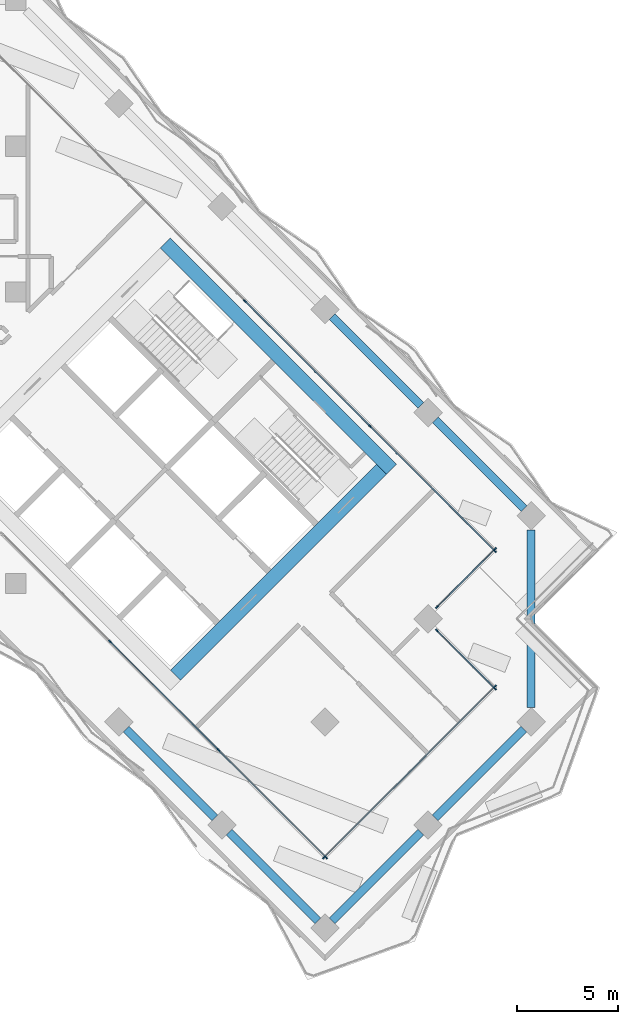
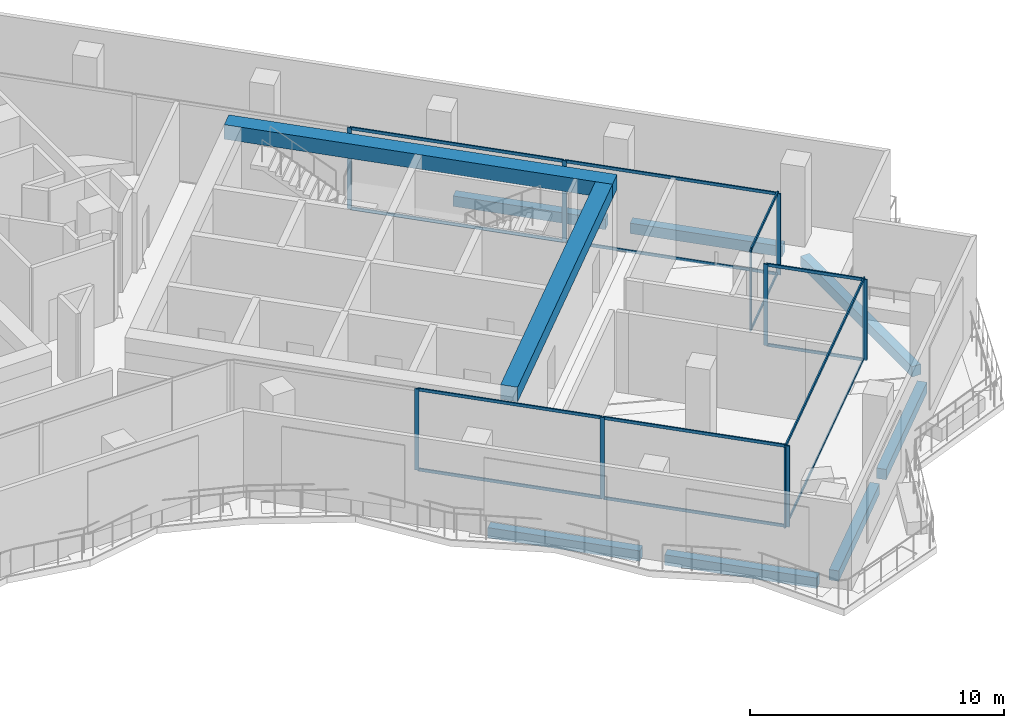
# One storey, part 7 of 23: 26 members, 9 beams, 5 elements without a shape of their own.
"""IFC4 building model written with IfcOpenShell, lengths in metres."""

import ifcopenshell
import ifcopenshell.guid

model = None  # the IFC model being written
_history = None  # IfcOwnerHistory: only IFC2X3 demands one
_inside = {}  # id of a spatial element -> (the spatial element, [elements in it])
_under = {}  # id of a project, library or spatial element -> (it, [spatial elements below it])
_declared = {}  # id of a project -> (the project, [libraries it declares])
_typed = {}  # id of a type object -> (the type object, [elements of that type])
_made_of = {}  # id of a material, layer set ... -> (it, [elements and type objects made of it])


def new_model(schema):
    """Start an empty IFC model of exactly this schema.

    Asked for "IFC4X3", IfcOpenShell would pick the latest addendum, in which some entities
    have other attributes; the version numbers below select the first issue.
    IFC2X3 requires an IfcOwnerHistory on every rooted entity: one is made here for all.
    """
    global model, _history
    if schema == "IFC4X3":
        model = ifcopenshell.file(schema_version=(4, 3, 0, 0))
    else:
        model = ifcopenshell.file(schema=schema)
    _inside.clear()
    _under.clear()
    _declared.clear()
    _typed.clear()
    _made_of.clear()
    _history = None
    if model.schema == "IFC2X3":
        org = make("IfcOrganization", Name="unknown")
        user = make(
            "IfcPersonAndOrganization",
            ThePerson=make("IfcPerson", FamilyName="unknown"),
            TheOrganization=org,
        )
        app = make(
            "IfcApplication",
            ApplicationDeveloper=org,
            Version="unknown",
            ApplicationFullName="unknown",
            ApplicationIdentifier="unknown",
        )
        _history = make(
            "IfcOwnerHistory",
            OwningUser=user,
            OwningApplication=app,
            ChangeAction="ADDED",
            CreationDate=0,
        )
    return model


def make(cls, **values):
    """One entity of the class cls with the attributes given. An attribute that is None is left unset."""
    return model.create_entity(
        cls, **{name: value for name, value in values.items() if value is not None}
    )


def rooted(cls, **values):
    """An entity with a GlobalId (a new one), such as an element, a storey or a relation."""
    return make(cls, GlobalId=ifcopenshell.guid.new(), OwnerHistory=_history, **values)


def si_unit(unit_type, name, prefix=None):
    """IfcSIUnit, for example si_unit("LENGTHUNIT", "METRE", prefix="MILLI")."""
    return make("IfcSIUnit", UnitType=unit_type, Prefix=prefix, Name=name)


def assignment(units):
    """IfcUnitAssignment: the units of a project."""
    return None if units is None else make("IfcUnitAssignment", Units=units)


def point(xyz):
    """IfcCartesianPoint."""
    return None if xyz is None else make("IfcCartesianPoint", Coordinates=xyz)


def direction(xyz):
    """IfcDirection."""
    return None if xyz is None else make("IfcDirection", DirectionRatios=xyz)


def frame(location, z_axis=None, x_axis=None):
    """IfcAxis2Placement3D, a coordinate frame: its origin and axes. An axis left out is left unset."""
    return make(
        "IfcAxis2Placement3D",
        Location=point(location),
        Axis=direction(z_axis),
        RefDirection=direction(x_axis),
    )


def frame_2d(location, x_axis=None):
    """IfcAxis2Placement2D, a coordinate frame in the plane: its origin and x axis."""
    return make(
        "IfcAxis2Placement2D", Location=point(location), RefDirection=direction(x_axis)
    )


def origin():
    """The frame at (0, 0, 0) with its axes left unset."""
    return frame((0.0, 0.0, 0.0))


def origin_2d():
    """The frame at (0, 0) in the plane with its x axis left unset."""
    return frame_2d((0.0, 0.0))


def place(relative_to, where):
    """IfcLocalPlacement: puts the frame where relative to a parent placement (None: the world)."""
    return make(
        "IfcLocalPlacement", PlacementRelTo=relative_to, RelativePlacement=where
    )


def context(
    kind, dimensions, precision=None, world=None, true_north=None, identifier=None
):
    """IfcGeometricRepresentationContext, for example the 3D "Model" context."""
    return make(
        "IfcGeometricRepresentationContext",
        ContextIdentifier=identifier,
        ContextType=kind,
        CoordinateSpaceDimension=dimensions,
        Precision=precision,
        WorldCoordinateSystem=world,
        TrueNorth=true_north,
    )


def subcontext(parent, identifier, kind, view, scale=None):
    """IfcGeometricRepresentationSubContext, for example "Body" below "Model"."""
    return make(
        "IfcGeometricRepresentationSubContext",
        ContextIdentifier=identifier,
        ContextType=kind,
        ParentContext=parent,
        TargetScale=scale,
        TargetView=view,
    )


def project(units=None, contexts=None):
    """IfcProject with its units and contexts."""
    return rooted(
        "IfcProject",
        Name="project",
        RepresentationContexts=contexts,
        UnitsInContext=assignment(units),
    )


def spatial(cls, under=None, at=None, **own):
    """A site, building, storey or space (cls), placed at a placement, below another one or the project."""
    s = rooted(cls, ObjectPlacement=at, **own)
    if under is not None:
        _under.setdefault(under.id(), (under, []))[1].append(s)
    return s


def profile(cls, at=None, kind="AREA", **sizes):
    """A parametric profile (cls). Its sizes go by their IFC names, for example OverallWidth=200.0."""
    return make(cls, ProfileType=kind, Position=at, **sizes)


def rectangle(**sizes):
    """IfcRectangleProfileDef."""
    return profile("IfcRectangleProfileDef", **sizes)


def extrude(swept, where, along, depth):
    """IfcExtrudedAreaSolid: the profile swept, set in the frame where, extruded along a direction by depth."""
    return make(
        "IfcExtrudedAreaSolid",
        SweptArea=swept,
        Position=where,
        ExtrudedDirection=direction(along),
        Depth=depth,
    )


def shape(context_of_items, identifier, shape_type, items):
    """IfcShapeRepresentation: the items that make up one representation, for example the "Body"."""
    return make(
        "IfcShapeRepresentation",
        ContextOfItems=context_of_items,
        RepresentationIdentifier=identifier,
        RepresentationType=shape_type,
        Items=items,
    )


def material(Name=None, Category=None):
    """IfcMaterial."""
    return make("IfcMaterial", Name=Name, Category=Category)


def material_profile(
    of_material, cross_section, Name=None, Category=None, Priority=None
):
    """IfcMaterialProfile: a cross section and its material."""
    return make(
        "IfcMaterialProfile",
        Name=Name,
        Material=of_material,
        Profile=cross_section,
        Priority=Priority,
        Category=Category,
    )


def profile_set(profiles, Name=None, composite=None):
    """IfcMaterialProfileSet."""
    return make(
        "IfcMaterialProfileSet",
        Name=Name,
        MaterialProfiles=profiles,
        CompositeProfile=composite,
    )


def made_of(thing, what):
    """Note that an element or type object is made of a material, layer set ...; save() writes the relation."""
    if what is not None:
        _made_of.setdefault(what.id(), (what, []))[1].append(thing)
    return thing


def type_object(cls, material=None, **own):
    """A type object (cls), such as IfcWallType, which elements share."""
    return made_of(rooted(cls, **own), material)


def element(
    cls,
    number,
    at=None,
    inside=None,
    cuts=None,
    type_object=None,
    material=None,
    context=None,
    identifier="Body",
    shape_type=None,
    held_by="IfcProductDefinitionShape",
    body=None,
    shapes=None,
    **own,
):
    """One element of the class cls, such as IfcWall. Its Tag is "e" and its number.

    at: its placement. inside: the storey or other place that contains it. cuts: it is an
    opening in that element (IfcRelVoidsElement). A single representation is given by context,
    identifier, shape_type and body (its items); several are given by shapes. held_by: the class
    of the entity that holds the representations. save() writes the other relations.
    """
    e = rooted(cls, Tag="e%d" % number, ObjectPlacement=at, **own)
    if body is not None:
        shapes = [shape(context, identifier, shape_type, body)]
    if shapes is not None:
        e.Representation = make(held_by, Representations=shapes)
    if inside is not None:
        _inside.setdefault(inside.id(), (inside, []))[1].append(e)
    if cuts is not None:
        rooted(
            "IfcRelVoidsElement", RelatingBuildingElement=cuts, RelatedOpeningElement=e
        )
    if type_object is not None:
        _typed.setdefault(type_object.id(), (type_object, []))[1].append(e)
    return made_of(e, material)


def aggregate(whole, parts):
    """IfcRelAggregates: a whole, such as a stair, and the parts it consists of."""
    return rooted("IfcRelAggregates", RelatingObject=whole, RelatedObjects=parts)


def save(model, path):
    """Write the relations noted so far, then the file.

    IfcRelAggregates (storeys below a building ...), IfcRelContainedInSpatialStructure (elements
    in a storey), IfcRelDefinesByType, IfcRelAssociatesMaterial and IfcRelDeclares: one each for
    every whole, place, type object, material and project.
    """
    for whole, parts in _under.values():
        aggregate(whole, parts)
    for where, things in _inside.values():
        rooted(
            "IfcRelContainedInSpatialStructure",
            RelatedElements=things,
            RelatingStructure=where,
        )
    for kind, things in _typed.values():
        rooted("IfcRelDefinesByType", RelatedObjects=things, RelatingType=kind)
    for what, things in _made_of.values():
        rooted("IfcRelAssociatesMaterial", RelatedObjects=things, RelatingMaterial=what)
    for by, libraries in _declared.values():
        rooted("IfcRelDeclares", RelatingContext=by, RelatedDefinitions=libraries)
    model.write(path)


model = new_model("IFC4")

# Units and contexts
model_context = context("Model", 3, precision=1e-05, world=origin(), true_north=direction((0.0, 1.0)))
body_context = subcontext(model_context, "Body", "Model", "MODEL_VIEW")
ifc_project = project(units=[si_unit("LENGTHUNIT", "METRE"), si_unit("AREAUNIT", "SQUARE_METRE"), si_unit("VOLUMEUNIT", "CUBIC_METRE"), si_unit("PLANEANGLEUNIT", "RADIAN"), si_unit("MASSUNIT", "GRAM", prefix="KILO")], contexts=[model_context])

# Site, building, storey
site_placement = place(None, origin())
site = spatial("IfcSite", under=ifc_project, at=site_placement, CompositionType="ELEMENT")
building_placement = place(site_placement, origin())
building = spatial("IfcBuilding", under=site, at=building_placement, Name="Windrow Commons", CompositionType="ELEMENT")
storey_placement = place(building_placement, frame((0.0, 0.0, 122.0)))
storey = spatial("IfcBuildingStorey", under=building, at=storey_placement, Name="L33", CompositionType="ELEMENT", Elevation=122.0)

# Curtain wall, members
ifc_material_1 = material(Name="Clear laminated glass in Aluminium 6063-T6 anodised frame", Category="aluminium")
curtain_wall_type = type_object("IfcCurtainWallType", Name="Curtain wall CW2M sky lounge mid", PredefinedType="USERDEFINED", material=ifc_material_1)
placement = place(storey_placement, origin())
curtain_wall_1 = element("IfcCurtainWall", 1, at=placement, inside=storey, type_object=curtain_wall_type, Name="Curtain wall CW2M L33 1", ObjectType="UNITISED", PredefinedType="USERDEFINED")
ifc_material_2 = material(Name="Aluminium 6063-T6", Category="aluminium")
ifc_material_profile_1 = material_profile(ifc_material_2, rectangle(XDim=0.06, YDim=0.18, at=origin_2d()))
ifc_profile_set_1 = profile_set([ifc_material_profile_1], Name="Aluminium 6063-T6")
member_type_1 = type_object("IfcMemberType", Name="CW2M mullion 60x180", PredefinedType="MULLION", material=ifc_profile_set_1)
member_1_placement = place(storey_placement, frame((102.8669, 38.0094, 0.0), z_axis=(0.0, 0.0, 1.0), x_axis=(-0.7071067812, -0.7071067812, 0.0)))
member_1 = element("IfcMember", 2, at=member_1_placement, type_object=member_type_1, Name="CW2M mullion 1", PredefinedType="MULLION", context=body_context, shape_type="SweptSolid", body=[
    extrude(rectangle(XDim=0.06, YDim=0.18, at=origin_2d()), origin(), (0.0, 0.0, 1.0), 3.9),
])
member_2_placement = place(storey_placement, frame((100.0095, 40.8667, 0.0), z_axis=(0.0, 0.0, 1.0), x_axis=(-0.7071067812, -0.7071067812, 0.0)))
member_2 = element("IfcMember", 3, at=member_2_placement, type_object=member_type_1, Name="CW2M mullion 2", PredefinedType="MULLION", context=body_context, shape_type="SweptSolid", body=[
    extrude(rectangle(XDim=0.06, YDim=0.18, at=origin_2d()), origin(), (0.0, 0.0, 1.0), 3.9),
])

curtain_wall_2 = element("IfcCurtainWall", 4, at=placement, inside=storey, type_object=curtain_wall_type, Name="Curtain wall CW2M L33 2", ObjectType="UNITISED", PredefinedType="USERDEFINED")
member_3_placement = place(storey_placement, frame((100.0095, 42.0393, 0.0), z_axis=(0.0, 0.0, 1.0), x_axis=(-0.7071067812, 0.7071067812, 0.0)))
member_3 = element("IfcMember", 5, at=member_3_placement, type_object=member_type_1, Name="CW2M mullion 1", PredefinedType="MULLION", context=body_context, shape_type="SweptSolid", body=[
    extrude(rectangle(XDim=0.06, YDim=0.18, at=origin_2d()), origin(), (0.0, 0.0, 1.0), 3.9),
])
member_4_placement = place(storey_placement, frame((102.8669, 44.8966, 0.0), z_axis=(0.0, 0.0, 1.0), x_axis=(-0.7071067812, 0.7071067812, 0.0)))
member_4 = element("IfcMember", 6, at=member_4_placement, type_object=member_type_1, Name="CW2M mullion 2", PredefinedType="MULLION", context=body_context, shape_type="SweptSolid", body=[
    extrude(rectangle(XDim=0.06, YDim=0.18, at=origin_2d()), origin(), (0.0, 0.0, 1.0), 3.9),
])

curtain_wall_3 = element("IfcCurtainWall", 7, at=placement, inside=storey, type_object=curtain_wall_type, Name="Curtain wall CW2M L33 3", ObjectType="UNITISED", PredefinedType="USERDEFINED")
member_5_placement = place(storey_placement, frame((102.8669, 44.7976, 0.0), z_axis=(0.0, 0.0, 1.0), x_axis=(-0.7071067812, -0.7071067812, 0.0)))
member_5 = element("IfcMember", 8, at=member_5_placement, type_object=member_type_1, Name="CW2M mullion 1", PredefinedType="MULLION", context=body_context, shape_type="SweptSolid", body=[
    extrude(rectangle(XDim=0.06, YDim=0.18, at=origin_2d()), origin(), (0.0, 0.0, 1.0), 3.9),
])
member_6_placement = place(storey_placement, frame((96.6999, 50.9646, 0.0), z_axis=(0.0, 0.0, 1.0), x_axis=(-0.7071067812, -0.7071067812, 0.0)))
member_6 = element("IfcMember", 9, at=member_6_placement, type_object=member_type_1, Name="CW2M mullion 2", PredefinedType="MULLION", context=body_context, shape_type="SweptSolid", body=[
    extrude(rectangle(XDim=0.06, YDim=0.18, at=origin_2d()), origin(), (0.0, 0.0, 1.0), 3.9),
])
member_7_placement = place(storey_placement, frame((90.5116, 57.1528, 0.0), z_axis=(0.0, 0.0, 1.0), x_axis=(-0.7071067812, -0.7071067812, 0.0)))
member_7 = element("IfcMember", 10, at=member_7_placement, type_object=member_type_1, Name="CW2M mullion 3", PredefinedType="MULLION", context=body_context, shape_type="SweptSolid", body=[
    extrude(rectangle(XDim=0.06, YDim=0.18, at=origin_2d()), origin(), (0.0, 0.0, 1.0), 3.9),
])

curtain_wall_4 = element("IfcCurtainWall", 11, at=placement, inside=storey, type_object=curtain_wall_type, Name="Curtain wall CW2M L33 13", ObjectType="UNITISED", PredefinedType="USERDEFINED")
member_8_placement = place(storey_placement, frame((83.8599, 40.3286, 0.0), z_axis=(0.0, 0.0, 1.0), x_axis=(0.7071067812, 0.7071067812, 0.0)))
member_8 = element("IfcMember", 12, at=member_8_placement, type_object=member_type_1, Name="CW2M mullion 2", PredefinedType="MULLION", context=body_context, shape_type="SweptSolid", body=[
    extrude(rectangle(XDim=0.06, YDim=0.18, at=origin_2d()), origin(), (0.0, 0.0, 1.0), 3.9),
])
member_9_placement = place(storey_placement, frame((89.2021, 34.9864, 0.0), z_axis=(0.0, 0.0, 1.0), x_axis=(0.7071067812, 0.7071067812, 0.0)))
member_9 = element("IfcMember", 13, at=member_9_placement, type_object=member_type_1, Name="CW2M mullion 3", PredefinedType="MULLION", context=body_context, shape_type="SweptSolid", body=[
    extrude(rectangle(XDim=0.06, YDim=0.18, at=origin_2d()), origin(), (0.0, 0.0, 1.0), 3.9),
])
member_10_placement = place(storey_placement, frame((94.523, 29.6655, 0.0), z_axis=(0.0, 0.0, 1.0), x_axis=(0.7071067812, 0.7071067812, 0.0)))
member_10 = element("IfcMember", 14, at=member_10_placement, type_object=member_type_1, Name="CW2M mullion 4", PredefinedType="MULLION", context=body_context, shape_type="SweptSolid", body=[
    extrude(rectangle(XDim=0.06, YDim=0.18, at=origin_2d()), origin(), (0.0, 0.0, 1.0), 3.9),
])

curtain_wall_5 = element("IfcCurtainWall", 15, at=placement, inside=storey, type_object=curtain_wall_type, Name="Curtain wall CW2M L33 14", ObjectType="UNITISED", PredefinedType="USERDEFINED")
member_11_placement = place(storey_placement, frame((94.424, 29.6655, 0.0), z_axis=(0.0, 0.0, 1.0), x_axis=(-0.7071067812, 0.7071067812, 0.0)))
member_11 = element("IfcMember", 16, at=member_11_placement, type_object=member_type_1, Name="CW2M mullion 1", PredefinedType="MULLION", context=body_context, shape_type="SweptSolid", body=[
    extrude(rectangle(XDim=0.06, YDim=0.18, at=origin_2d()), origin(), (0.0, 0.0, 1.0), 3.9),
])
member_12_placement = place(storey_placement, frame((102.8669, 38.1084, 0.0), z_axis=(0.0, 0.0, 1.0), x_axis=(-0.7071067812, 0.7071067812, 0.0)))
member_12 = element("IfcMember", 17, at=member_12_placement, type_object=member_type_1, Name="CW2M mullion 2", PredefinedType="MULLION", context=body_context, shape_type="SweptSolid", body=[
    extrude(rectangle(XDim=0.06, YDim=0.18, at=origin_2d()), origin(), (0.0, 0.0, 1.0), 3.9),
])

# Member
ifc_material_3 = material(Name="Aluminium 6063-T6", Category="aluminium")
ifc_material_profile_2 = material_profile(ifc_material_3, rectangle(XDim=0.06, YDim=0.14, at=origin_2d()))
ifc_profile_set_2 = profile_set([ifc_material_profile_2], Name="Aluminium 6063-T6")
member_type_2 = type_object("IfcMemberType", Name="CW2M transom 60x140", PredefinedType="USERDEFINED", material=ifc_profile_set_2)
member_13_placement = place(storey_placement, frame((102.8457, 38.0306, 0.03), z_axis=(-0.7071067812, 0.7071067812, 0.0), x_axis=(-0.7071067812, -0.7071067812, 0.0)))
member_13 = element("IfcMember", 18, at=member_13_placement, type_object=member_type_2, Name="CW2M transom 1.1", ObjectType="TRANSOM", PredefinedType="USERDEFINED", context=body_context, shape_type="SweptSolid", body=[
    extrude(rectangle(XDim=0.06, YDim=0.14, at=origin_2d()), origin(), (0.0, 0.0, 1.0), 3.9809),
])

member_14_placement = place(storey_placement, frame((102.8457, 38.0306, 3.87), z_axis=(-0.7071067812, 0.7071067812, 0.0), x_axis=(-0.7071067812, -0.7071067812, 0.0)))
member_14 = element("IfcMember", 19, at=member_14_placement, type_object=member_type_2, Name="CW2M transom 1.2", ObjectType="TRANSOM", PredefinedType="USERDEFINED", context=body_context, shape_type="SweptSolid", body=[
    extrude(rectangle(XDim=0.06, YDim=0.14, at=origin_2d()), origin(), (0.0, 0.0, 1.0), 3.9809),
])

aggregate(curtain_wall_1, [member_1, member_2, member_13, member_14])

member_15_placement = place(storey_placement, frame((100.0308, 42.0605, 0.03), z_axis=(0.7071067812, 0.7071067812, 0.0), x_axis=(-0.7071067812, 0.7071067812, 0.0)))
member_15 = element("IfcMember", 20, at=member_15_placement, type_object=member_type_2, Name="CW2M transom 1.1", ObjectType="TRANSOM", PredefinedType="USERDEFINED", context=body_context, shape_type="SweptSolid", body=[
    extrude(rectangle(XDim=0.06, YDim=0.14, at=origin_2d()), origin(), (0.0, 0.0, 1.0), 3.9809),
])

member_16_placement = place(storey_placement, frame((100.0308, 42.0605, 3.87), z_axis=(0.7071067812, 0.7071067812, 0.0), x_axis=(-0.7071067812, 0.7071067812, 0.0)))
member_16 = element("IfcMember", 21, at=member_16_placement, type_object=member_type_2, Name="CW2M transom 1.2", ObjectType="TRANSOM", PredefinedType="USERDEFINED", context=body_context, shape_type="SweptSolid", body=[
    extrude(rectangle(XDim=0.06, YDim=0.14, at=origin_2d()), origin(), (0.0, 0.0, 1.0), 3.9809),
])

aggregate(curtain_wall_2, [member_3, member_4, member_15, member_16])

member_17_placement = place(storey_placement, frame((102.8457, 44.8188, 0.03), z_axis=(-0.7071067812, 0.7071067812, 0.0), x_axis=(-0.7071067812, -0.7071067812, 0.0)))
member_17 = element("IfcMember", 22, at=member_17_placement, type_object=member_type_2, Name="CW2M transom 1.1", ObjectType="TRANSOM", PredefinedType="USERDEFINED", context=body_context, shape_type="SweptSolid", body=[
    extrude(rectangle(XDim=0.06, YDim=0.14, at=origin_2d()), origin(), (0.0, 0.0, 1.0), 8.6615),
])

member_18_placement = place(storey_placement, frame((102.8457, 44.8188, 3.87), z_axis=(-0.7071067812, 0.7071067812, 0.0), x_axis=(-0.7071067812, -0.7071067812, 0.0)))
member_18 = element("IfcMember", 23, at=member_18_placement, type_object=member_type_2, Name="CW2M transom 1.2", ObjectType="TRANSOM", PredefinedType="USERDEFINED", context=body_context, shape_type="SweptSolid", body=[
    extrude(rectangle(XDim=0.06, YDim=0.14, at=origin_2d()), origin(), (0.0, 0.0, 1.0), 8.6615),
])

member_19_placement = place(storey_placement, frame((96.6787, 50.9858, 0.03), z_axis=(-0.7071067812, 0.7071067812, 0.0), x_axis=(-0.7071067812, -0.7071067812, 0.0)))
member_19 = element("IfcMember", 24, at=member_19_placement, type_object=member_type_2, Name="CW2M transom 2.1", ObjectType="TRANSOM", PredefinedType="USERDEFINED", context=body_context, shape_type="SweptSolid", body=[
    extrude(rectangle(XDim=0.06, YDim=0.14, at=origin_2d()), origin(), (0.0, 0.0, 1.0), 8.6915),
])

member_20_placement = place(storey_placement, frame((96.6787, 50.9858, 3.87), z_axis=(-0.7071067812, 0.7071067812, 0.0), x_axis=(-0.7071067812, -0.7071067812, 0.0)))
member_20 = element("IfcMember", 25, at=member_20_placement, type_object=member_type_2, Name="CW2M transom 2.2", ObjectType="TRANSOM", PredefinedType="USERDEFINED", context=body_context, shape_type="SweptSolid", body=[
    extrude(rectangle(XDim=0.06, YDim=0.14, at=origin_2d()), origin(), (0.0, 0.0, 1.0), 8.6915),
])

aggregate(curtain_wall_3, [member_5, member_6, member_7, member_17, member_18, member_19, member_20])

member_21_placement = place(storey_placement, frame((83.8812, 40.3074, 0.03), z_axis=(0.7071067812, -0.7071067812, 0.0), x_axis=(0.7071067812, 0.7071067812, 0.0)))
member_21 = element("IfcMember", 26, at=member_21_placement, type_object=member_type_2, Name="CW2M transom 2.1", ObjectType="TRANSOM", PredefinedType="USERDEFINED", context=body_context, shape_type="SweptSolid", body=[
    extrude(rectangle(XDim=0.06, YDim=0.14, at=origin_2d()), origin(), (0.0, 0.0, 1.0), 7.4949),
])

member_22_placement = place(storey_placement, frame((83.8812, 40.3074, 3.87), z_axis=(0.7071067812, -0.7071067812, 0.0), x_axis=(0.7071067812, 0.7071067812, 0.0)))
member_22 = element("IfcMember", 27, at=member_22_placement, type_object=member_type_2, Name="CW2M transom 2.2", ObjectType="TRANSOM", PredefinedType="USERDEFINED", context=body_context, shape_type="SweptSolid", body=[
    extrude(rectangle(XDim=0.06, YDim=0.14, at=origin_2d()), origin(), (0.0, 0.0, 1.0), 7.4949),
])

member_23_placement = place(storey_placement, frame((89.2233, 34.9652, 0.03), z_axis=(0.7071067812, -0.7071067812, 0.0), x_axis=(0.7071067812, 0.7071067812, 0.0)))
member_23 = element("IfcMember", 28, at=member_23_placement, type_object=member_type_2, Name="CW2M transom 3.1", ObjectType="TRANSOM", PredefinedType="USERDEFINED", context=body_context, shape_type="SweptSolid", body=[
    extrude(rectangle(XDim=0.06, YDim=0.14, at=origin_2d()), origin(), (0.0, 0.0, 1.0), 7.4649),
])

member_24_placement = place(storey_placement, frame((89.2233, 34.9652, 3.87), z_axis=(0.7071067812, -0.7071067812, 0.0), x_axis=(0.7071067812, 0.7071067812, 0.0)))
member_24 = element("IfcMember", 29, at=member_24_placement, type_object=member_type_2, Name="CW2M transom 3.2", ObjectType="TRANSOM", PredefinedType="USERDEFINED", context=body_context, shape_type="SweptSolid", body=[
    extrude(rectangle(XDim=0.06, YDim=0.14, at=origin_2d()), origin(), (0.0, 0.0, 1.0), 7.4649),
])

aggregate(curtain_wall_4, [member_8, member_9, member_10, member_21, member_22, member_23, member_24])

member_25_placement = place(storey_placement, frame((94.4452, 29.6867, 0.03), z_axis=(0.7071067812, 0.7071067812, 0.0), x_axis=(-0.7071067812, 0.7071067812, 0.0)))
member_25 = element("IfcMember", 30, at=member_25_placement, type_object=member_type_2, Name="CW2M transom 1.1", ObjectType="TRANSOM", PredefinedType="USERDEFINED", context=body_context, shape_type="SweptSolid", body=[
    extrude(rectangle(XDim=0.06, YDim=0.14, at=origin_2d()), origin(), (0.0, 0.0, 1.0), 11.8801),
])

member_26_placement = place(storey_placement, frame((94.4452, 29.6867, 3.87), z_axis=(0.7071067812, 0.7071067812, 0.0), x_axis=(-0.7071067812, 0.7071067812, 0.0)))
member_26 = element("IfcMember", 31, at=member_26_placement, type_object=member_type_2, Name="CW2M transom 1.2", ObjectType="TRANSOM", PredefinedType="USERDEFINED", context=body_context, shape_type="SweptSolid", body=[
    extrude(rectangle(XDim=0.06, YDim=0.14, at=origin_2d()), origin(), (0.0, 0.0, 1.0), 11.8801),
])

aggregate(curtain_wall_5, [member_11, member_12, member_25, member_26])

# Beams
ifc_material_4 = material(Name="Concrete C50/60", Category="concrete")
ifc_material_profile_3 = material_profile(ifc_material_4, rectangle(XDim=0.7, YDim=0.7, at=origin_2d()))
ifc_profile_set_3 = profile_set([ifc_material_profile_3], Name="Concrete C50/60")
beam_type_1 = type_object("IfcBeamType", Name="RC COUPLING BEAM 700x700 C50/60", PredefinedType="LINTEL", material=ifc_profile_set_3)
beam_1_placement = place(storey_placement, frame((86.5893, 60.0145, 3.55), z_axis=(0.7071099457, -0.7071036166, 0.0), x_axis=(0.7071036166, 0.7071099457, 0.0)))
element("IfcBeam", 32, at=beam_1_placement, inside=storey, type_object=beam_type_1, Name="Core B coupling beam outer-N", PredefinedType="LINTEL", context=body_context, shape_type="SweptSolid", body=[
    extrude(rectangle(XDim=0.7, YDim=0.7, at=origin_2d()), origin(), (0.0, 0.0, 1.0), 15.7999),
])
beam_2_placement = place(storey_placement, frame((87.0842, 38.6599, 3.55), z_axis=(0.7071067812, 0.7071067812, 0.0), x_axis=(-0.7071067812, 0.7071067812, 0.0)))
element("IfcBeam", 33, at=beam_2_placement, inside=storey, type_object=beam_type_1, Name="Core B coupling beam outer-E", PredefinedType="LINTEL", context=body_context, shape_type="SweptSolid", body=[
    extrude(rectangle(XDim=0.7, YDim=0.7, at=origin_2d()), origin(), (0.0, 0.0, 1.0), 14.4001),
])
ifc_material_5 = material(Name="Concrete C50/60", Category="concrete")
ifc_material_profile_4 = material_profile(ifc_material_5, rectangle(XDim=0.4, YDim=0.5, at=origin_2d()))
ifc_profile_set_4 = profile_set([ifc_material_profile_4], Name="Concrete C50/60")
beam_type_2 = type_object("IfcBeamType", Name="RC EDGE BEAM 400x500 C50/60", PredefinedType="SPANDREL", material=ifc_profile_set_4)
beam_3_placement = place(storey_placement, frame((94.8271, 56.3729, -0.55), z_axis=(0.7071067812, -0.7071067812, 0.0), x_axis=(0.7071067812, 0.7071067812, 0.0)))
element("IfcBeam", 34, at=beam_3_placement, inside=storey, type_object=beam_type_2, Name="Edge beam L33 016", PredefinedType="SPANDREL", context=body_context, shape_type="SweptSolid", body=[
    extrude(rectangle(XDim=0.4, YDim=0.5, at=origin_2d()), origin(), (0.0, 0.0, 1.0), 6.1999),
])
beam_4_placement = place(storey_placement, frame((99.9183, 51.2817, -0.55), z_axis=(0.7071067812, -0.7071067812, 0.0), x_axis=(0.7071067812, 0.7071067812, 0.0)))
element("IfcBeam", 35, at=beam_4_placement, inside=storey, type_object=beam_type_2, Name="Edge beam L33 017", PredefinedType="SPANDREL", context=body_context, shape_type="SweptSolid", body=[
    extrude(rectangle(XDim=0.4, YDim=0.5, at=origin_2d()), origin(), (0.0, 0.0, 1.0), 6.1998),
])
beam_5_placement = place(storey_placement, frame((104.6558, 45.8371, -0.55), z_axis=(0.0, -1.0, 0.0), x_axis=(1.0, 0.0, 0.0)))
element("IfcBeam", 36, at=beam_5_placement, inside=storey, type_object=beam_type_2, Name="Edge beam L33 018", PredefinedType="SPANDREL", context=body_context, shape_type="SweptSolid", body=[
    extrude(rectangle(XDim=0.4, YDim=0.5, at=origin_2d()), origin(), (0.0, 0.0, 1.0), 8.7682),
])
for number, where, z_axis, x_axis, name in (
    (37, (104.3022, 36.0082, -0.55), (-0.7070987164, -0.7071148459, 0.0), (0.7071148459, -0.7070987164, 0.0), "Edge beam L33 019"),
    (38, (99.2111, 30.917, -0.55), (-0.7071148459, -0.7070987164, 0.0), (0.7070987164, -0.7071148459, 0.0), "Edge beam L33 020"),
    (39, (94.1199, 26.5331, -0.55), (-0.7071148459, 0.7070987164, 0.0), (-0.7070987164, -0.7071148459, 0.0), "Edge beam L33 021"),
    (40, (89.0287, 31.6242, -0.55), (-0.7070987164, 0.7071148459, 0.0), (-0.7071148459, -0.7070987164, 0.0), "Edge beam L33 022"),
):
    element("IfcBeam", number, at=place(storey_placement, frame(where, z_axis=z_axis, x_axis=x_axis)), inside=storey, type_object=beam_type_2, Name=name, PredefinedType="SPANDREL", context=body_context, shape_type="SweptSolid", body=[
        extrude(rectangle(XDim=0.4, YDim=0.5, at=origin_2d()), origin(), (0.0, 0.0, 1.0), 6.1998),
    ])

save(model, "model.ifc")
